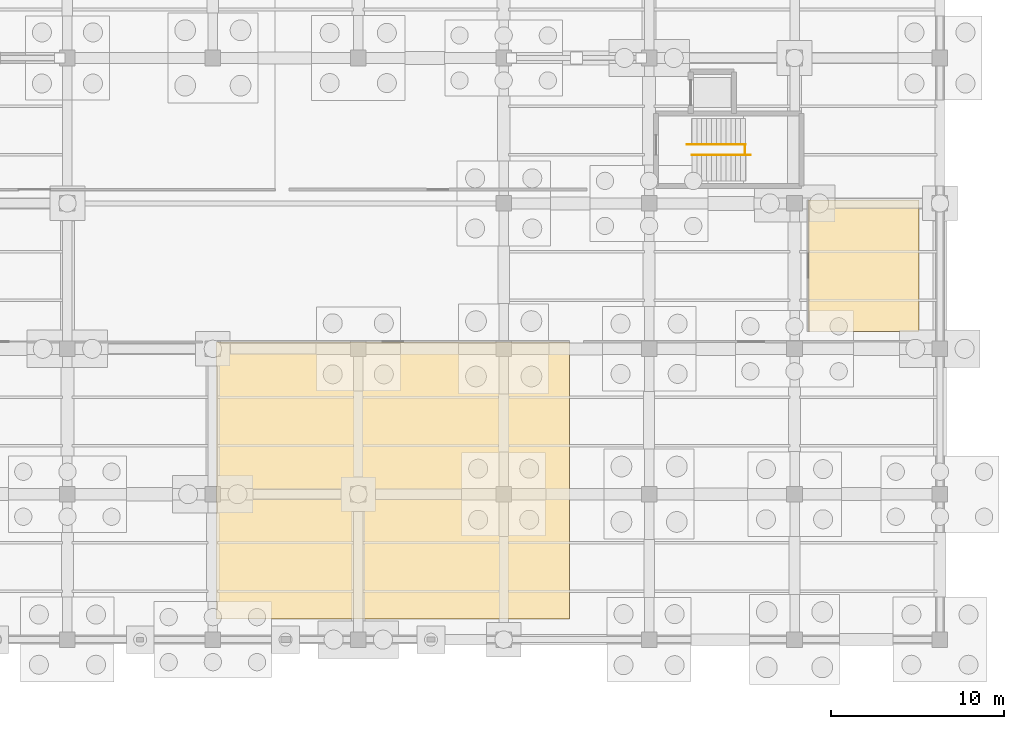
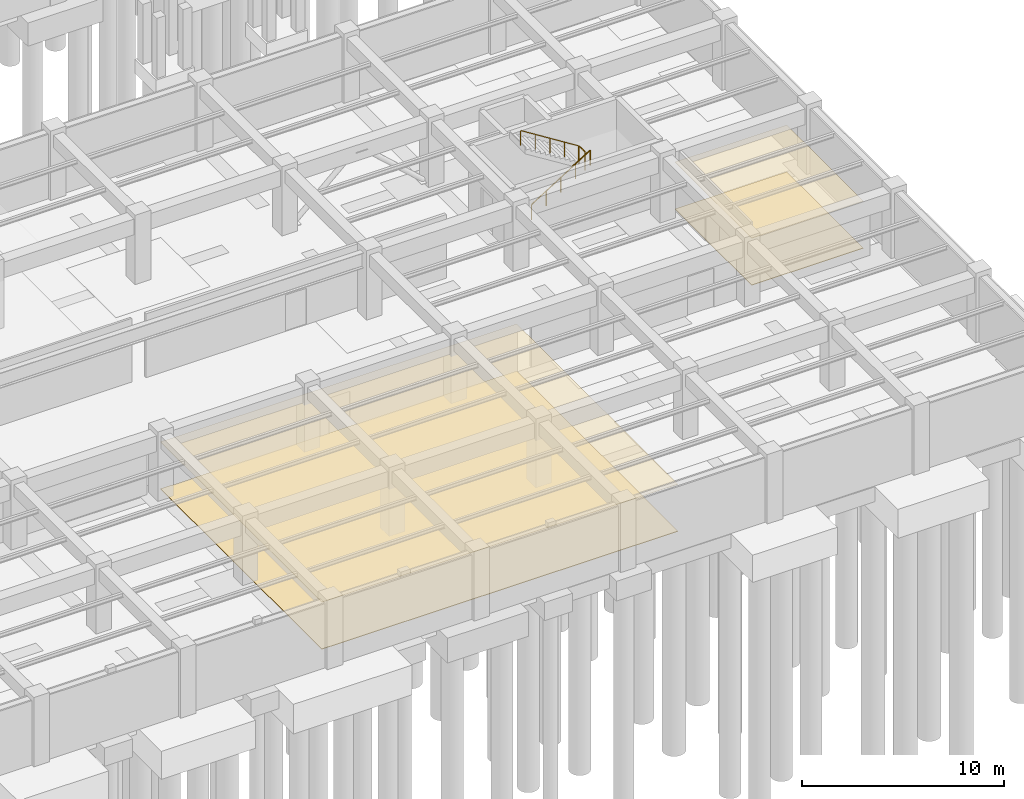
# One storey, part 36 of 38: 4 coverings, 3 railings.
"""IFC4 building model written with IfcOpenShell, lengths in metres."""

from ifc_helpers import new_model, si_unit, direction, frame, origin, origin_2d, place, context, subcontext, project, spatial, polyline, circle, outline, extrude, material, layer, layer_set, type_object, element, save


model = new_model("IFC4")

# Units and contexts
model_context = context("Model", 3, precision=1e-05, world=origin(), true_north=direction((0.0, 1.0)))
body_context = subcontext(model_context, "Body", "Model", "MODEL_VIEW")
ifc_project = project(units=[si_unit("LENGTHUNIT", "METRE"), si_unit("AREAUNIT", "SQUARE_METRE"), si_unit("VOLUMEUNIT", "CUBIC_METRE"), si_unit("PLANEANGLEUNIT", "RADIAN"), si_unit("MASSUNIT", "GRAM", prefix="KILO"), si_unit("THERMODYNAMICTEMPERATUREUNIT", "KELVIN"), si_unit("POWERUNIT", "WATT")], contexts=[model_context])

# Site, building, storey
site_placement = place(None, origin())
site = spatial("IfcSite", under=ifc_project, at=site_placement, CompositionType="ELEMENT")
building_placement = place(site_placement, origin())
building = spatial("IfcBuilding", under=site, at=building_placement, Name="Darbajah Civic Hall", CompositionType="ELEMENT")
storey_placement = place(building_placement, frame((0.0, 0.0, -4.199951171875)))
storey = spatial("IfcBuildingStorey", under=building, at=storey_placement, Name="B01", CompositionType="ELEMENT", Elevation=-4.199951171875)

# Railings
ifc_material_1 = material(Name="Brushed Bronze Stainless Steel", Category="steel")
railing_type_1 = type_object("IfcRailingType", Name="Brushed Bronze Handrail", PredefinedType="HANDRAIL", material=ifc_material_1)
railing_1_placement = place(storey_placement, frame((163.8798828125, 28.0, 0.175048828125)))
element("IfcRailing", 1, at=railing_1_placement, inside=storey, type_object=railing_type_1, Name="ST07 B01 lower flight handrail", PredefinedType="HANDRAIL", context=body_context, shape_type="SweptSolid", body=[
    extrude(circle(Radius=0.02392578125, at=origin_2d()), frame((0.023193359375, 0.0, 0.910400390625), z_axis=(0.845972016735, 0.0, 0.533227293844), x_axis=(0.0, 1.0, 0.0)), (0.0, 0.0, 1.0), 3.917236328125),
    extrude(circle(Radius=0.02099609375, at=origin_2d()), origin(), (0.0, 0.0, 1.0), 0.867919921875),
    extrude(circle(Radius=0.02099609375, at=origin_2d()), frame((0.840087890625, 0.0, 0.529541015625)), (0.0, 0.0, 1.0), 0.867919921875),
    extrude(circle(Radius=0.02099609375, at=origin_2d()), frame((1.68017578125, 0.0, 1.05908203125)), (0.0, 0.0, 1.0), 0.867919921875),
    extrude(circle(Radius=0.02099609375, at=origin_2d()), frame((2.52001953125, 0.0, 1.58837890625)), (0.0, 0.0, 1.0), 0.867919921875),
    extrude(circle(Radius=0.02099609375, at=origin_2d()), frame((3.360107421875, 0.0, 2.117919921875)), (0.0, 0.0, 1.0), 0.867919921875),
])
railing_2_placement = place(storey_placement, frame((166.9599609375, 28.60009765625, 2.27490234375)))
element("IfcRailing", 2, at=railing_2_placement, inside=storey, type_object=railing_type_1, Name="ST07 B01 upper flight handrail", PredefinedType="HANDRAIL", context=body_context, shape_type="SweptSolid", body=[
    extrude(circle(Radius=0.02392578125, at=origin_2d()), frame((-0.023193359375, 0.0, 0.910400390625), z_axis=(-0.845926808262, 0.0, 0.533299010935), x_axis=(0.0, -1.0, 0.0)), (0.0, 0.0, 1.0), 3.917236328125),
    extrude(circle(Radius=0.02099609375, at=origin_2d()), origin(), (0.0, 0.0, 1.0), 0.867919921875),
    extrude(circle(Radius=0.02099609375, at=origin_2d()), frame((-0.83984375, 0.0, 0.529541015625)), (0.0, 0.0, 1.0), 0.867919921875),
    extrude(circle(Radius=0.02099609375, at=origin_2d()), frame((-1.679931640625, 0.0, 1.05908203125)), (0.0, 0.0, 1.0), 0.867919921875),
    extrude(circle(Radius=0.02099609375, at=origin_2d()), frame((-2.52001953125, 0.0, 1.588623046875)), (0.0, 0.0, 1.0), 0.867919921875),
    extrude(circle(Radius=0.02099609375, at=origin_2d()), frame((-3.35986328125, 0.0, 2.1181640625)), (0.0, 0.0, 1.0), 0.867919921875),
])

# Coverings
ifc_material_2 = material(Name="Honed Qatari Limestone Terrazzo", Category="masonry")
ifc_layer_1 = layer(ifc_material_2, 0.030029296875, Name="Honed Qatari Limestone Terrazzo")
ifc_layer_set_1 = layer_set([ifc_layer_1], Name="Honed Qatari Limestone Terrazzo")
covering_type_1 = type_object("IfcCoveringType", Name="Honed Qatari Limestone Terrazzo Flooring", PredefinedType="FLOORING", material=ifc_layer_set_1)
covering_1_placement = place(storey_placement, origin())
element("IfcCovering", 3, at=covering_1_placement, inside=storey, type_object=covering_type_1, Name="B01 stone terrazzo flooring B01-03", PredefinedType="FLOORING", context=body_context, shape_type="SweptSolid", body=[
    extrude(outline(polyline([(136.39990234375, 1.199951171875), (156.800048828125, 1.199951171875), (156.800048828125, 17.199951171875), (136.39990234375, 17.199951171875), (136.39990234375, 1.199951171875)])), origin(), (0.0, 0.0, 1.0), 0.030029296875),
])
covering_2_placement = place(storey_placement, origin())
element("IfcCovering", 4, at=covering_2_placement, inside=storey, type_object=covering_type_1, Name="B01 stone terrazzo flooring B01-07", PredefinedType="FLOORING", context=body_context, shape_type="SweptSolid", body=[
    extrude(outline(polyline([(170.60009765625, 17.800048828125), (177.0, 17.800048828125), (177.0, 25.39990234375), (170.60009765625, 25.39990234375), (170.60009765625, 17.800048828125)])), origin(), (0.0, 0.0, 1.0), 0.030029296875),
])

# Railing
ifc_material_3 = material(Name="Brushed Bronze and Laminated Safety Glass", Category="glass")
railing_type_2 = type_object("IfcRailingType", Name="Interior Guard Balustrade", PredefinedType="BALUSTRADE", material=ifc_material_3)
railing_3_placement = place(storey_placement, frame((166.93994140625, 28.0, 2.099853515625)))
element("IfcRailing", 5, at=railing_3_placement, inside=storey, type_object=railing_type_2, Name="ST07 B01 landing well guard", PredefinedType="BALUSTRADE", context=body_context, shape_type="SweptSolid", body=[
    extrude(circle(Radius=0.02392578125, at=origin_2d()), frame((0.0, 0.02734375, 1.09619140625), z_axis=(0.0, 1.0, 0.0), x_axis=(-1.0, 0.0, 0.0)), (0.0, 0.0, 1.0), 0.54541015625),
    extrude(circle(Radius=0.02099609375, at=origin_2d()), origin(), (0.0, 0.0, 1.0), 1.068115234375),
    extrude(circle(Radius=0.02099609375, at=origin_2d()), frame((0.0, 0.60009765625, 0.0)), (0.0, 0.0, 1.0), 1.068115234375),
])

# Coverings
ifc_material_4 = material(Name="Perforated Acoustic Gypsum Board")
ifc_layer_2 = layer(ifc_material_4, 0.02490234375, Name="Perforated Acoustic Gypsum Board")
ifc_layer_set_2 = layer_set([ifc_layer_2], Name="Perforated Acoustic Gypsum Board")
covering_type_2 = type_object("IfcCoveringType", Name="Perforated Acoustic Gypsum Ceiling", PredefinedType="CEILING", material=ifc_layer_set_2)
covering_3_placement = place(storey_placement, frame((0.0, 0.0, 2.849853515625)))
element("IfcCovering", 6, at=covering_3_placement, inside=storey, type_object=covering_type_2, Name="B01 acoustic suspended ceiling B01-03", PredefinedType="CEILING", context=body_context, shape_type="SweptSolid", body=[
    extrude(outline(polyline([(136.39990234375, 1.199951171875), (156.800048828125, 1.199951171875), (156.800048828125, 17.199951171875), (136.39990234375, 17.199951171875), (136.39990234375, 1.199951171875)])), origin(), (0.0, 0.0, 1.0), 0.025146484375),
])
covering_4_placement = place(storey_placement, frame((0.0, 0.0, 2.849853515625)))
element("IfcCovering", 7, at=covering_4_placement, inside=storey, type_object=covering_type_2, Name="B01 acoustic suspended ceiling B01-07", PredefinedType="CEILING", context=body_context, shape_type="SweptSolid", body=[
    extrude(outline(polyline([(170.60009765625, 17.800048828125), (177.0, 17.800048828125), (177.0, 25.39990234375), (170.60009765625, 25.39990234375), (170.60009765625, 17.800048828125)])), origin(), (0.0, 0.0, 1.0), 0.025146484375),
])

save(model, "model.ifc")
